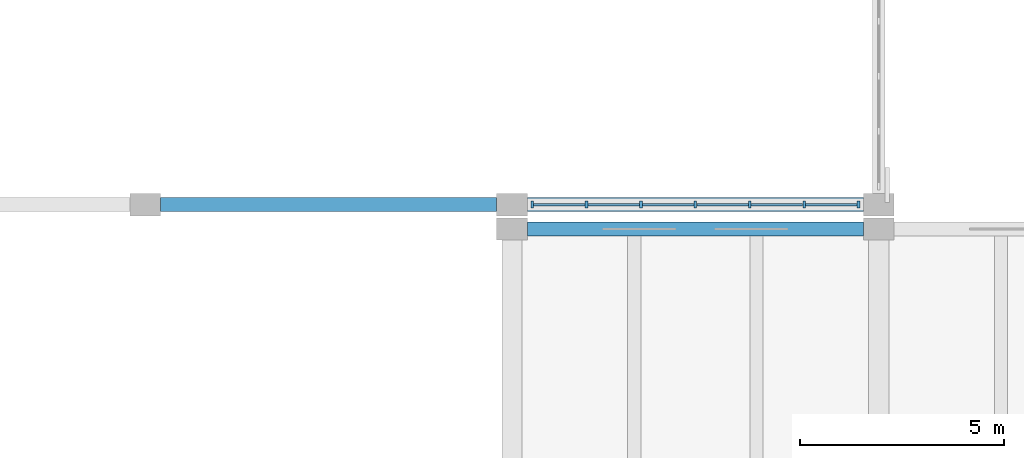
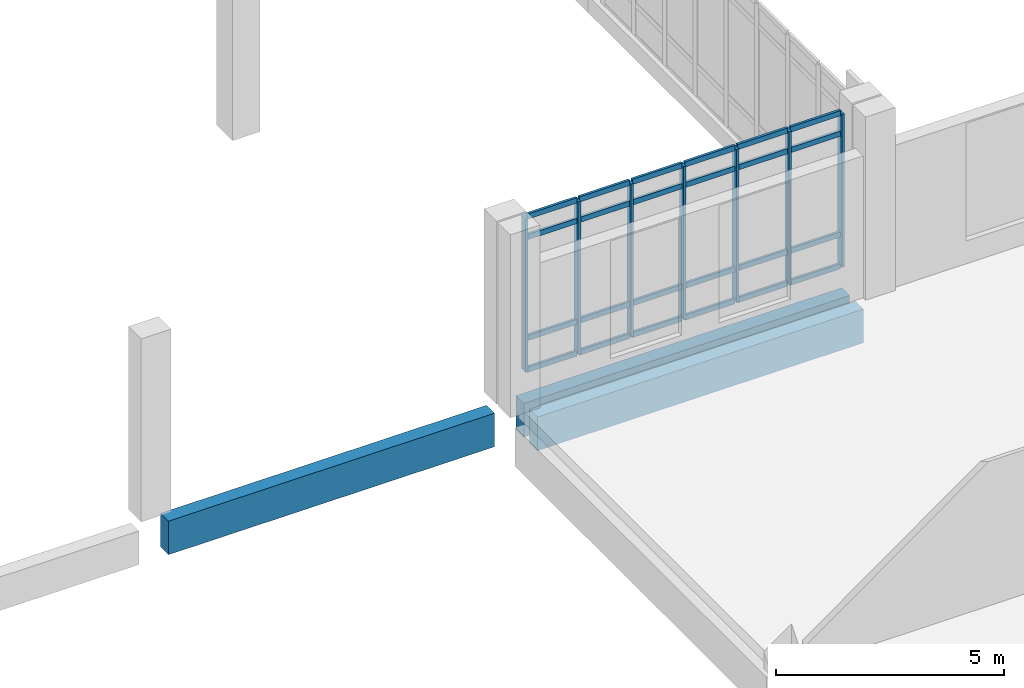
# One storey, part 44 of 110: 31 members, 3 beams, 1 element without a shape of its own.
"""IFC4 building model written with IfcOpenShell, lengths in metres."""

from ifc_helpers import new_model, si_unit, direction, frame, origin, origin_2d, place, context, subcontext, project, spatial, rectangle, extrude, material, layer, layer_set, material_profile, profile_set, type_object, element, aggregate, save


model = new_model("IFC4")

# Units and contexts
model_context = context("Model", 3, precision=1e-05, world=origin(), true_north=direction((0.0, 1.0)))
body_context = subcontext(model_context, "Body", "Model", "MODEL_VIEW")
ifc_project = project(units=[si_unit("LENGTHUNIT", "METRE"), si_unit("AREAUNIT", "SQUARE_METRE"), si_unit("VOLUMEUNIT", "CUBIC_METRE"), si_unit("PLANEANGLEUNIT", "RADIAN"), si_unit("MASSUNIT", "GRAM", prefix="KILO")], contexts=[model_context])

# Site, building, storey
site_placement = place(None, origin())
site = spatial("IfcSite", under=ifc_project, at=site_placement, CompositionType="ELEMENT")
building_placement = place(site_placement, origin())
building = spatial("IfcBuilding", under=site, at=building_placement, Name="Zacnel Wholesale Market", CompositionType="ELEMENT")
storey_placement = place(building_placement, frame((0.0, 0.0, 6.300048828125)))
storey = spatial("IfcBuildingStorey", under=building, at=storey_placement, Name="L02", CompositionType="ELEMENT", Elevation=6.300048828125)

# Beams
ifc_material_1 = material(Name="Precast concrete C45/55", Category="concrete")
ifc_material_profile_1 = material_profile(ifc_material_1, rectangle(XDim=0.35009765625, YDim=0.89990234375, at=origin_2d()), Name="SP 350x900")
ifc_profile_set_1 = profile_set([ifc_material_profile_1], Name="Precast concrete C45/55")
beam_type = type_object("IfcBeamType", Name="BM-SP900", PredefinedType="SPANDREL", material=ifc_profile_set_1)
for number, where, z_axis, x_axis, name in (
    (1, (180.375, 95.699951171875, -0.75), (1.0, 0.0, 0.0), (0.0, 1.0, 0.0), "Precast girder X-0217"),
    (2, (171.375, 96.300048828125, -0.75), (1.0, 0.0, 0.0), (0.0, 1.0, 0.0), "Precast girder X-0240"),
    (3, (180.375, 96.300048828125, -0.75), (1.0, 0.0, 0.0), (0.0, 1.0, 0.0), "Precast girder X-0241"),
):
    element("IfcBeam", number, at=place(storey_placement, frame(where, z_axis=z_axis, x_axis=x_axis)), inside=storey, type_object=beam_type, Name=name, PredefinedType="SPANDREL", context=body_context, shape_type="SweptSolid", body=[
        extrude(rectangle(XDim=0.35009765625, YDim=0.89990234375, at=origin_2d()), origin(), (0.0, 0.0, 1.0), 8.25),
    ])

# Curtain wall, members
ifc_material_2 = material(Name="Anodised aluminium", Category="aluminium")
ifc_layer = layer(ifc_material_2, 0.159912109375)
ifc_layer_set = layer_set([ifc_layer], Name="Anodised aluminium")
curtain_wall_type = type_object("IfcCurtainWallType", Name="CW-NAVE-4200", PredefinedType="NOTDEFINED", material=ifc_layer_set)
curtain_wall_placement = place(storey_placement, origin())
curtain_wall = element("IfcCurtainWall", 4, at=curtain_wall_placement, inside=storey, type_object=curtain_wall_type, Name="Curtain wall ENV-R2-CW-L02-028", PredefinedType="NOTDEFINED")
ifc_material_3 = material(Name="Anodised aluminium", Category="aluminium")
ifc_material_profile_2 = material_profile(ifc_material_3, rectangle(XDim=0.06494140625, YDim=0.179931640625, at=origin_2d()), Name="AW-MULLION 65x180")
ifc_profile_set_2 = profile_set([ifc_material_profile_2], Name="Anodised aluminium")
member_type_1 = type_object("IfcMemberType", Name="CWM-MUL-03", PredefinedType="MULLION", material=ifc_profile_set_2)
member_1_placement = place(storey_placement, frame((180.4951171875, 96.300048828125, 0.449951171875), z_axis=(0.0, 0.0, 1.0), x_axis=(1.0, 0.0, 0.0)))
member_1 = element("IfcMember", 5, at=member_1_placement, type_object=member_type_1, Name="ENV-R2-CW-L02-028 mullion 01", PredefinedType="MULLION", context=body_context, shape_type="SweptSolid", body=[
    extrude(rectangle(XDim=0.06494140625, YDim=0.179931640625, at=origin_2d()), origin(), (0.0, 0.0, 1.0), 4.10009765625),
])
member_2_placement = place(storey_placement, frame((181.830078125, 96.300048828125, 0.449951171875), z_axis=(0.0, 0.0, 1.0), x_axis=(1.0, 0.0, 0.0)))
member_2 = element("IfcMember", 6, at=member_2_placement, type_object=member_type_1, Name="ENV-R2-CW-L02-028 mullion 02", PredefinedType="MULLION", context=body_context, shape_type="SweptSolid", body=[
    extrude(rectangle(XDim=0.06494140625, YDim=0.179931640625, at=origin_2d()), origin(), (0.0, 0.0, 1.0), 4.10009765625),
])
member_3_placement = place(storey_placement, frame((183.1650390625, 96.300048828125, 0.449951171875), z_axis=(0.0, 0.0, 1.0), x_axis=(1.0, 0.0, 0.0)))
member_3 = element("IfcMember", 7, at=member_3_placement, type_object=member_type_1, Name="ENV-R2-CW-L02-028 mullion 03", PredefinedType="MULLION", context=body_context, shape_type="SweptSolid", body=[
    extrude(rectangle(XDim=0.06494140625, YDim=0.179931640625, at=origin_2d()), origin(), (0.0, 0.0, 1.0), 4.10009765625),
])
member_4_placement = place(storey_placement, frame((184.5, 96.300048828125, 0.449951171875), z_axis=(0.0, 0.0, 1.0), x_axis=(1.0, 0.0, 0.0)))
member_4 = element("IfcMember", 8, at=member_4_placement, type_object=member_type_1, Name="ENV-R2-CW-L02-028 mullion 04", PredefinedType="MULLION", context=body_context, shape_type="SweptSolid", body=[
    extrude(rectangle(XDim=0.06494140625, YDim=0.179931640625, at=origin_2d()), origin(), (0.0, 0.0, 1.0), 4.10009765625),
])
member_5_placement = place(storey_placement, frame((185.8349609375, 96.300048828125, 0.449951171875), z_axis=(0.0, 0.0, 1.0), x_axis=(1.0, 0.0, 0.0)))
member_5 = element("IfcMember", 9, at=member_5_placement, type_object=member_type_1, Name="ENV-R2-CW-L02-028 mullion 05", PredefinedType="MULLION", context=body_context, shape_type="SweptSolid", body=[
    extrude(rectangle(XDim=0.06494140625, YDim=0.179931640625, at=origin_2d()), origin(), (0.0, 0.0, 1.0), 4.10009765625),
])
member_6_placement = place(storey_placement, frame((187.169921875, 96.300048828125, 0.449951171875), z_axis=(0.0, 0.0, 1.0), x_axis=(1.0, 0.0, 0.0)))
member_6 = element("IfcMember", 10, at=member_6_placement, type_object=member_type_1, Name="ENV-R2-CW-L02-028 mullion 06", PredefinedType="MULLION", context=body_context, shape_type="SweptSolid", body=[
    extrude(rectangle(XDim=0.06494140625, YDim=0.179931640625, at=origin_2d()), origin(), (0.0, 0.0, 1.0), 4.10009765625),
])
member_7_placement = place(storey_placement, frame((188.5048828125, 96.300048828125, 0.449951171875), z_axis=(0.0, 0.0, 1.0), x_axis=(1.0, 0.0, 0.0)))
member_7 = element("IfcMember", 11, at=member_7_placement, type_object=member_type_1, Name="ENV-R2-CW-L02-028 mullion 07", PredefinedType="MULLION", context=body_context, shape_type="SweptSolid", body=[
    extrude(rectangle(XDim=0.06494140625, YDim=0.179931640625, at=origin_2d()), origin(), (0.0, 0.0, 1.0), 4.10009765625),
])
ifc_material_4 = material(Name="Anodised aluminium", Category="aluminium")
ifc_material_profile_3 = material_profile(ifc_material_4, rectangle(XDim=0.06494140625, YDim=0.139892578125, at=origin_2d()), Name="AW-TRANSOM 65x140")
ifc_profile_set_3 = profile_set([ifc_material_profile_3], Name="Anodised aluminium")
member_type_2 = type_object("IfcMemberType", Name="CWM-TRN-03", PredefinedType="USERDEFINED", material=ifc_profile_set_3)
member_8_placement = place(storey_placement, frame((180.530029296875, 96.300048828125, 0.449951171875), z_axis=(1.0, 0.0, 0.0), x_axis=(0.0, 1.0, 0.0)))
member_8 = element("IfcMember", 12, at=member_8_placement, type_object=member_type_2, Name="ENV-R2-CW-L02-028 transom 1-1", ObjectType="TRANSOM", PredefinedType="USERDEFINED", context=body_context, shape_type="SweptSolid", body=[
    extrude(rectangle(XDim=0.06494140625, YDim=0.139892578125, at=origin_2d()), origin(), (0.0, 0.0, 1.0), 1.264892578125),
])
member_9_placement = place(storey_placement, frame((180.530029296875, 96.300048828125, 1.300048828125), z_axis=(1.0, 0.0, 0.0), x_axis=(0.0, 1.0, 0.0)))
member_9 = element("IfcMember", 13, at=member_9_placement, type_object=member_type_2, Name="ENV-R2-CW-L02-028 transom 1-2", ObjectType="TRANSOM", PredefinedType="USERDEFINED", context=body_context, shape_type="SweptSolid", body=[
    extrude(rectangle(XDim=0.06494140625, YDim=0.139892578125, at=origin_2d()), origin(), (0.0, 0.0, 1.0), 1.264892578125),
])
member_10_placement = place(storey_placement, frame((180.530029296875, 96.300048828125, 4.0), z_axis=(1.0, 0.0, 0.0), x_axis=(0.0, 1.0, 0.0)))
member_10 = element("IfcMember", 14, at=member_10_placement, type_object=member_type_2, Name="ENV-R2-CW-L02-028 transom 1-3", ObjectType="TRANSOM", PredefinedType="USERDEFINED", context=body_context, shape_type="SweptSolid", body=[
    extrude(rectangle(XDim=0.06494140625, YDim=0.139892578125, at=origin_2d()), origin(), (0.0, 0.0, 1.0), 1.264892578125),
])
member_11_placement = place(storey_placement, frame((180.530029296875, 96.300048828125, 4.550048828125), z_axis=(1.0, 0.0, 0.0), x_axis=(0.0, 1.0, 0.0)))
member_11 = element("IfcMember", 15, at=member_11_placement, type_object=member_type_2, Name="ENV-R2-CW-L02-028 transom 1-4", ObjectType="TRANSOM", PredefinedType="USERDEFINED", context=body_context, shape_type="SweptSolid", body=[
    extrude(rectangle(XDim=0.06494140625, YDim=0.139892578125, at=origin_2d()), origin(), (0.0, 0.0, 1.0), 1.264892578125),
])
member_12_placement = place(storey_placement, frame((181.864990234375, 96.300048828125, 0.449951171875), z_axis=(1.0, 0.0, 0.0), x_axis=(0.0, 1.0, 0.0)))
member_12 = element("IfcMember", 16, at=member_12_placement, type_object=member_type_2, Name="ENV-R2-CW-L02-028 transom 2-1", ObjectType="TRANSOM", PredefinedType="USERDEFINED", context=body_context, shape_type="SweptSolid", body=[
    extrude(rectangle(XDim=0.06494140625, YDim=0.139892578125, at=origin_2d()), origin(), (0.0, 0.0, 1.0), 1.264892578125),
])
member_13_placement = place(storey_placement, frame((181.864990234375, 96.300048828125, 1.300048828125), z_axis=(1.0, 0.0, 0.0), x_axis=(0.0, 1.0, 0.0)))
member_13 = element("IfcMember", 17, at=member_13_placement, type_object=member_type_2, Name="ENV-R2-CW-L02-028 transom 2-2", ObjectType="TRANSOM", PredefinedType="USERDEFINED", context=body_context, shape_type="SweptSolid", body=[
    extrude(rectangle(XDim=0.06494140625, YDim=0.139892578125, at=origin_2d()), origin(), (0.0, 0.0, 1.0), 1.264892578125),
])
member_14_placement = place(storey_placement, frame((181.864990234375, 96.300048828125, 4.0), z_axis=(1.0, 0.0, 0.0), x_axis=(0.0, 1.0, 0.0)))
member_14 = element("IfcMember", 18, at=member_14_placement, type_object=member_type_2, Name="ENV-R2-CW-L02-028 transom 2-3", ObjectType="TRANSOM", PredefinedType="USERDEFINED", context=body_context, shape_type="SweptSolid", body=[
    extrude(rectangle(XDim=0.06494140625, YDim=0.139892578125, at=origin_2d()), origin(), (0.0, 0.0, 1.0), 1.264892578125),
])
member_15_placement = place(storey_placement, frame((181.864990234375, 96.300048828125, 4.550048828125), z_axis=(1.0, 0.0, 0.0), x_axis=(0.0, 1.0, 0.0)))
member_15 = element("IfcMember", 19, at=member_15_placement, type_object=member_type_2, Name="ENV-R2-CW-L02-028 transom 2-4", ObjectType="TRANSOM", PredefinedType="USERDEFINED", context=body_context, shape_type="SweptSolid", body=[
    extrude(rectangle(XDim=0.06494140625, YDim=0.139892578125, at=origin_2d()), origin(), (0.0, 0.0, 1.0), 1.264892578125),
])
member_16_placement = place(storey_placement, frame((183.199951171875, 96.300048828125, 0.449951171875), z_axis=(1.0, 0.0, 0.0), x_axis=(0.0, 1.0, 0.0)))
member_16 = element("IfcMember", 20, at=member_16_placement, type_object=member_type_2, Name="ENV-R2-CW-L02-028 transom 3-1", ObjectType="TRANSOM", PredefinedType="USERDEFINED", context=body_context, shape_type="SweptSolid", body=[
    extrude(rectangle(XDim=0.06494140625, YDim=0.139892578125, at=origin_2d()), origin(), (0.0, 0.0, 1.0), 1.26513671875),
])
member_17_placement = place(storey_placement, frame((183.199951171875, 96.300048828125, 1.300048828125), z_axis=(1.0, 0.0, 0.0), x_axis=(0.0, 1.0, 0.0)))
member_17 = element("IfcMember", 21, at=member_17_placement, type_object=member_type_2, Name="ENV-R2-CW-L02-028 transom 3-2", ObjectType="TRANSOM", PredefinedType="USERDEFINED", context=body_context, shape_type="SweptSolid", body=[
    extrude(rectangle(XDim=0.06494140625, YDim=0.139892578125, at=origin_2d()), origin(), (0.0, 0.0, 1.0), 1.26513671875),
])
member_18_placement = place(storey_placement, frame((183.199951171875, 96.300048828125, 4.0), z_axis=(1.0, 0.0, 0.0), x_axis=(0.0, 1.0, 0.0)))
member_18 = element("IfcMember", 22, at=member_18_placement, type_object=member_type_2, Name="ENV-R2-CW-L02-028 transom 3-3", ObjectType="TRANSOM", PredefinedType="USERDEFINED", context=body_context, shape_type="SweptSolid", body=[
    extrude(rectangle(XDim=0.06494140625, YDim=0.139892578125, at=origin_2d()), origin(), (0.0, 0.0, 1.0), 1.26513671875),
])
member_19_placement = place(storey_placement, frame((183.199951171875, 96.300048828125, 4.550048828125), z_axis=(1.0, 0.0, 0.0), x_axis=(0.0, 1.0, 0.0)))
member_19 = element("IfcMember", 23, at=member_19_placement, type_object=member_type_2, Name="ENV-R2-CW-L02-028 transom 3-4", ObjectType="TRANSOM", PredefinedType="USERDEFINED", context=body_context, shape_type="SweptSolid", body=[
    extrude(rectangle(XDim=0.06494140625, YDim=0.139892578125, at=origin_2d()), origin(), (0.0, 0.0, 1.0), 1.26513671875),
])
member_20_placement = place(storey_placement, frame((184.534912109375, 96.300048828125, 0.449951171875), z_axis=(1.0, 0.0, 0.0), x_axis=(0.0, 1.0, 0.0)))
member_20 = element("IfcMember", 24, at=member_20_placement, type_object=member_type_2, Name="ENV-R2-CW-L02-028 transom 4-1", ObjectType="TRANSOM", PredefinedType="USERDEFINED", context=body_context, shape_type="SweptSolid", body=[
    extrude(rectangle(XDim=0.06494140625, YDim=0.139892578125, at=origin_2d()), origin(), (0.0, 0.0, 1.0), 1.26513671875),
])
member_21_placement = place(storey_placement, frame((184.534912109375, 96.300048828125, 1.300048828125), z_axis=(1.0, 0.0, 0.0), x_axis=(0.0, 1.0, 0.0)))
member_21 = element("IfcMember", 25, at=member_21_placement, type_object=member_type_2, Name="ENV-R2-CW-L02-028 transom 4-2", ObjectType="TRANSOM", PredefinedType="USERDEFINED", context=body_context, shape_type="SweptSolid", body=[
    extrude(rectangle(XDim=0.06494140625, YDim=0.139892578125, at=origin_2d()), origin(), (0.0, 0.0, 1.0), 1.26513671875),
])
member_22_placement = place(storey_placement, frame((184.534912109375, 96.300048828125, 4.0), z_axis=(1.0, 0.0, 0.0), x_axis=(0.0, 1.0, 0.0)))
member_22 = element("IfcMember", 26, at=member_22_placement, type_object=member_type_2, Name="ENV-R2-CW-L02-028 transom 4-3", ObjectType="TRANSOM", PredefinedType="USERDEFINED", context=body_context, shape_type="SweptSolid", body=[
    extrude(rectangle(XDim=0.06494140625, YDim=0.139892578125, at=origin_2d()), origin(), (0.0, 0.0, 1.0), 1.26513671875),
])
member_23_placement = place(storey_placement, frame((184.534912109375, 96.300048828125, 4.550048828125), z_axis=(1.0, 0.0, 0.0), x_axis=(0.0, 1.0, 0.0)))
member_23 = element("IfcMember", 27, at=member_23_placement, type_object=member_type_2, Name="ENV-R2-CW-L02-028 transom 4-4", ObjectType="TRANSOM", PredefinedType="USERDEFINED", context=body_context, shape_type="SweptSolid", body=[
    extrude(rectangle(XDim=0.06494140625, YDim=0.139892578125, at=origin_2d()), origin(), (0.0, 0.0, 1.0), 1.26513671875),
])
member_24_placement = place(storey_placement, frame((185.8701171875, 96.300048828125, 0.449951171875), z_axis=(1.0, 0.0, 0.0), x_axis=(0.0, 1.0, 0.0)))
member_24 = element("IfcMember", 28, at=member_24_placement, type_object=member_type_2, Name="ENV-R2-CW-L02-028 transom 5-1", ObjectType="TRANSOM", PredefinedType="USERDEFINED", context=body_context, shape_type="SweptSolid", body=[
    extrude(rectangle(XDim=0.06494140625, YDim=0.139892578125, at=origin_2d()), origin(), (0.0, 0.0, 1.0), 1.264892578125),
])
member_25_placement = place(storey_placement, frame((185.8701171875, 96.300048828125, 1.300048828125), z_axis=(1.0, 0.0, 0.0), x_axis=(0.0, 1.0, 0.0)))
member_25 = element("IfcMember", 29, at=member_25_placement, type_object=member_type_2, Name="ENV-R2-CW-L02-028 transom 5-2", ObjectType="TRANSOM", PredefinedType="USERDEFINED", context=body_context, shape_type="SweptSolid", body=[
    extrude(rectangle(XDim=0.06494140625, YDim=0.139892578125, at=origin_2d()), origin(), (0.0, 0.0, 1.0), 1.264892578125),
])
member_26_placement = place(storey_placement, frame((185.8701171875, 96.300048828125, 4.0), z_axis=(1.0, 0.0, 0.0), x_axis=(0.0, 1.0, 0.0)))
member_26 = element("IfcMember", 30, at=member_26_placement, type_object=member_type_2, Name="ENV-R2-CW-L02-028 transom 5-3", ObjectType="TRANSOM", PredefinedType="USERDEFINED", context=body_context, shape_type="SweptSolid", body=[
    extrude(rectangle(XDim=0.06494140625, YDim=0.139892578125, at=origin_2d()), origin(), (0.0, 0.0, 1.0), 1.264892578125),
])
member_27_placement = place(storey_placement, frame((185.8701171875, 96.300048828125, 4.550048828125), z_axis=(1.0, 0.0, 0.0), x_axis=(0.0, 1.0, 0.0)))
member_27 = element("IfcMember", 31, at=member_27_placement, type_object=member_type_2, Name="ENV-R2-CW-L02-028 transom 5-4", ObjectType="TRANSOM", PredefinedType="USERDEFINED", context=body_context, shape_type="SweptSolid", body=[
    extrude(rectangle(XDim=0.06494140625, YDim=0.139892578125, at=origin_2d()), origin(), (0.0, 0.0, 1.0), 1.264892578125),
])
member_28_placement = place(storey_placement, frame((187.205078125, 96.300048828125, 0.449951171875), z_axis=(1.0, 0.0, 0.0), x_axis=(0.0, 1.0, 0.0)))
member_28 = element("IfcMember", 32, at=member_28_placement, type_object=member_type_2, Name="ENV-R2-CW-L02-028 transom 6-1", ObjectType="TRANSOM", PredefinedType="USERDEFINED", context=body_context, shape_type="SweptSolid", body=[
    extrude(rectangle(XDim=0.06494140625, YDim=0.139892578125, at=origin_2d()), origin(), (0.0, 0.0, 1.0), 1.264892578125),
])
member_29_placement = place(storey_placement, frame((187.205078125, 96.300048828125, 1.300048828125), z_axis=(1.0, 0.0, 0.0), x_axis=(0.0, 1.0, 0.0)))
member_29 = element("IfcMember", 33, at=member_29_placement, type_object=member_type_2, Name="ENV-R2-CW-L02-028 transom 6-2", ObjectType="TRANSOM", PredefinedType="USERDEFINED", context=body_context, shape_type="SweptSolid", body=[
    extrude(rectangle(XDim=0.06494140625, YDim=0.139892578125, at=origin_2d()), origin(), (0.0, 0.0, 1.0), 1.264892578125),
])
member_30_placement = place(storey_placement, frame((187.205078125, 96.300048828125, 4.0), z_axis=(1.0, 0.0, 0.0), x_axis=(0.0, 1.0, 0.0)))
member_30 = element("IfcMember", 34, at=member_30_placement, type_object=member_type_2, Name="ENV-R2-CW-L02-028 transom 6-3", ObjectType="TRANSOM", PredefinedType="USERDEFINED", context=body_context, shape_type="SweptSolid", body=[
    extrude(rectangle(XDim=0.06494140625, YDim=0.139892578125, at=origin_2d()), origin(), (0.0, 0.0, 1.0), 1.264892578125),
])
member_31_placement = place(storey_placement, frame((187.205078125, 96.300048828125, 4.550048828125), z_axis=(1.0, 0.0, 0.0), x_axis=(0.0, 1.0, 0.0)))
member_31 = element("IfcMember", 35, at=member_31_placement, type_object=member_type_2, Name="ENV-R2-CW-L02-028 transom 6-4", ObjectType="TRANSOM", PredefinedType="USERDEFINED", context=body_context, shape_type="SweptSolid", body=[
    extrude(rectangle(XDim=0.06494140625, YDim=0.139892578125, at=origin_2d()), origin(), (0.0, 0.0, 1.0), 1.264892578125),
])
aggregate(curtain_wall, [member_1, member_2, member_3, member_4, member_5, member_6, member_7, member_8, member_9, member_10, member_11, member_12, member_13, member_14, member_15, member_16, member_17, member_18, member_19, member_20, member_21, member_22, member_23, member_24, member_25, member_26, member_27, member_28, member_29, member_30, member_31])

save(model, "model.ifc")
